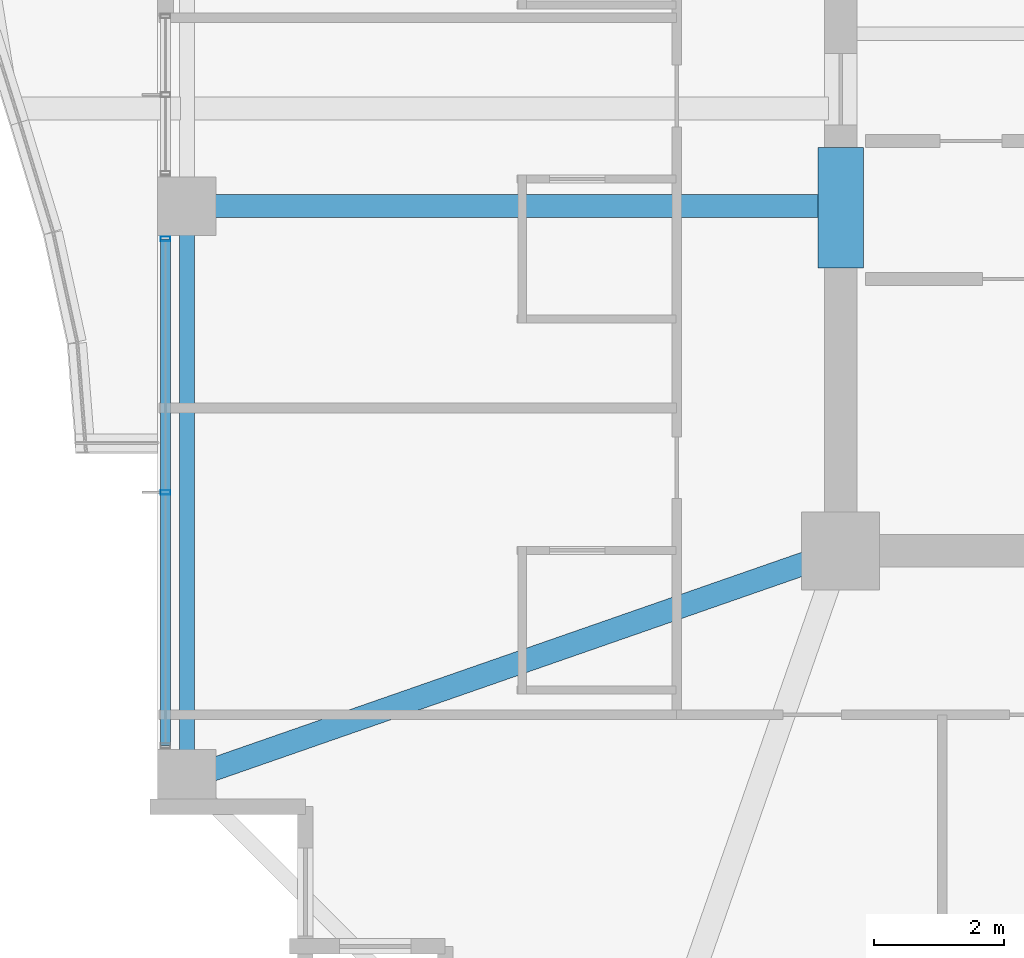
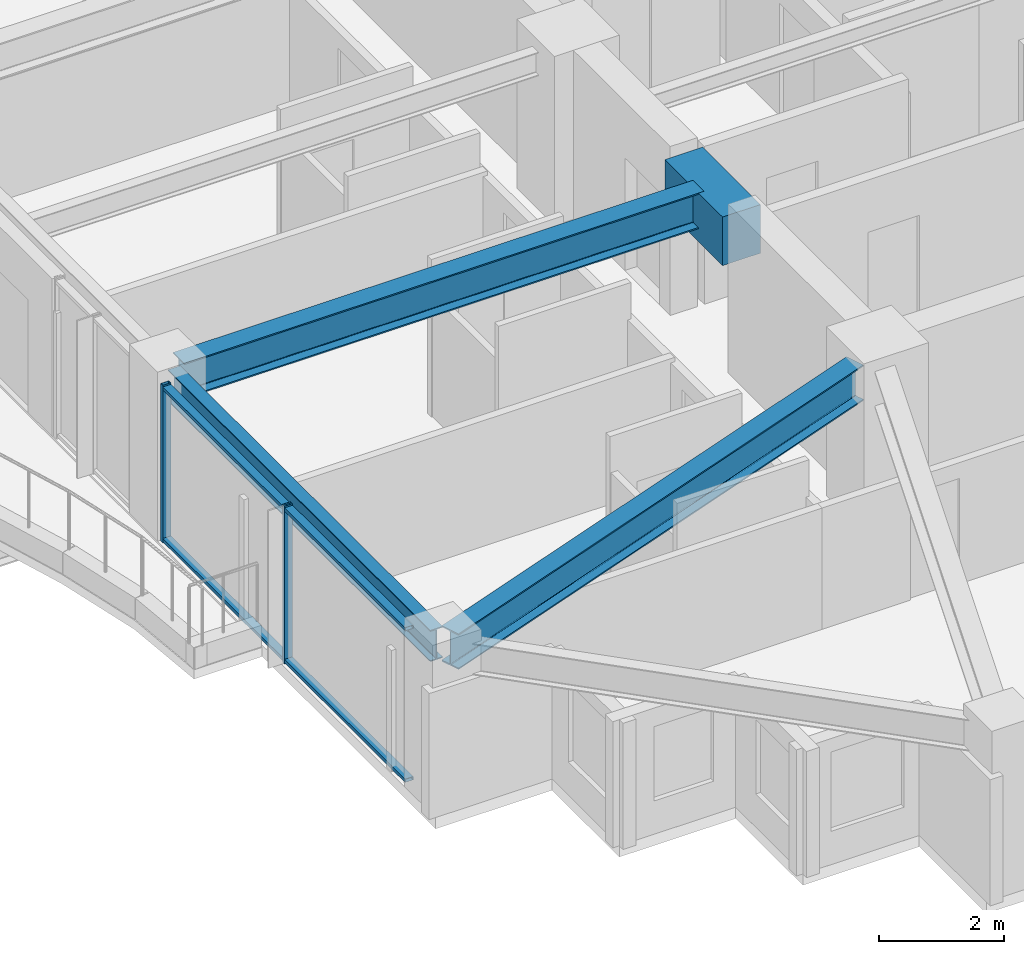
# One storey, part 4 of 34: 4 beams, 4 members, 1 element without a shape of its own.
"""IFC4 building model written with IfcOpenShell, lengths in metres."""

from ifc_helpers import new_model, si_unit, direction, frame, origin, origin_2d, place, context, subcontext, project, spatial, rectangle, hollow_rectangle, i_section, extrude, material, material_profile, profile_set, type_object, element, aggregate, save


model = new_model("IFC4")

# Units and contexts
model_context = context("Model", 3, precision=1e-05, world=origin(), true_north=direction((0.0, 1.0)))
body_context = subcontext(model_context, "Body", "Model", "MODEL_VIEW")
ifc_project = project(units=[si_unit("LENGTHUNIT", "METRE"), si_unit("AREAUNIT", "SQUARE_METRE"), si_unit("VOLUMEUNIT", "CUBIC_METRE"), si_unit("PLANEANGLEUNIT", "RADIAN"), si_unit("MASSUNIT", "GRAM", prefix="KILO")], contexts=[model_context])

# Site, building, storey
site_placement = place(None, origin())
site = spatial("IfcSite", under=ifc_project, at=site_placement, CompositionType="ELEMENT")
building_placement = place(site_placement, origin())
building = spatial("IfcBuilding", under=site, at=building_placement, Name="Kolvaren Belvedere", CompositionType="ELEMENT")
storey_placement = place(building_placement, frame((0.0, 0.0, 189.89990234375)))
storey = spatial("IfcBuildingStorey", under=building, at=storey_placement, Name="L55", CompositionType="ELEMENT", Elevation=189.89990234375)

# Beams
ifc_material_1 = material(Name="Structural steel ASTM A992 Grade 50", Category="steel")
ifc_material_profile_1 = material_profile(ifc_material_1, i_section(OverallWidth=0.35498046875, OverallDepth=0.696044921875, WebThickness=0.015380859375, FlangeThickness=0.02490234375, FilletRadius=0.02197265625, at=origin_2d()), Name="W27X146")
ifc_profile_set_1 = profile_set([ifc_material_profile_1], Name="Structural steel ASTM A992 Grade 50")
beam_type_1 = type_object("IfcBeamType", Name="BM-GIRD-W27X146", PredefinedType="BEAM", material=ifc_profile_set_1)
beam_1_placement = place(storey_placement, frame((-10.14990234375, -4.60009765625, 2.732177734375), z_axis=(-1.0, 0.0, 0.0), x_axis=(0.0, -1.0, 0.0)))
element("IfcBeam", 1, at=beam_1_placement, inside=storey, type_object=beam_type_1, Name="L55 West Radial Girder M", PredefinedType="BEAM", context=body_context, shape_type="SweptSolid", body=[
    extrude(i_section(OverallWidth=0.35498046875, OverallDepth=0.696044921875, WebThickness=0.015380859375, FlangeThickness=0.02490234375, FilletRadius=0.02197265625, at=origin_2d()), origin(), (0.0, 0.0, 1.0), 9.59765625),
])
beam_2_placement = place(storey_placement, frame((-10.41943359375, -10.080810546875, 2.732177734375), z_axis=(-0.944366798861, -0.328894130701, 0.0), x_axis=(0.328894130701, -0.944366798861, 0.0)))
element("IfcBeam", 2, at=beam_2_placement, inside=storey, type_object=beam_type_1, Name="L55 Corner Core-to-Perimeter Girder CC1-W1", PredefinedType="BEAM", context=body_context, shape_type="SweptSolid", body=[
    extrude(i_section(OverallWidth=0.35498046875, OverallDepth=0.696044921875, WebThickness=0.015380859375, FlangeThickness=0.02490234375, FilletRadius=0.02197265625, at=origin_2d()), origin(), (0.0, 0.0, 1.0), 9.912109375),
])
ifc_material_2 = material(Name="Concrete C60/75", Category="concrete")
ifc_material_profile_2 = material_profile(ifc_material_2, rectangle(XDim=0.699951171875, YDim=0.949951171875, at=origin_2d()), Name="RC 700X950")
ifc_profile_set_2 = profile_set([ifc_material_profile_2], Name="Concrete C60/75")
beam_type_2 = type_object("IfcBeamType", Name="BM-LINT-950", PredefinedType="LINTEL", material=ifc_profile_set_2)
beam_3_placement = place(storey_placement, frame((-9.89990234375, -5.550048828125, 2.60498046875), z_axis=(0.0, 1.0, 0.0), x_axis=(-1.0, 0.0, 0.0)))
element("IfcBeam", 3, at=beam_3_placement, inside=storey, type_object=beam_type_2, Name="L55 West Core Coupling Lintel", PredefinedType="LINTEL", context=body_context, shape_type="SweptSolid", body=[
    extrude(rectangle(XDim=0.699951171875, YDim=0.949951171875, at=origin_2d()), origin(), (0.0, 0.0, 1.0), 1.85009765625),
])
ifc_material_3 = material(Name="Structural steel ASTM A992 Grade 50", Category="steel")
ifc_material_profile_3 = material_profile(ifc_material_3, i_section(OverallWidth=0.22900390625, OverallDepth=0.612060546875, WebThickness=0.011962890625, FlangeThickness=0.01953125, FilletRadius=0.01806640625, at=origin_2d()), Name="W24X84")
ifc_profile_set_3 = profile_set([ifc_material_profile_3], Name="Structural steel ASTM A992 Grade 50")
beam_type_3 = type_object("IfcBeamType", Name="BM-SPAN-W24X84", PredefinedType="SPANDREL", material=ifc_profile_set_3)
beam_4_placement = place(storey_placement, frame((-19.949951171875, -4.802490234375, 2.774169921875), z_axis=(0.0, -1.0, 0.0), x_axis=(1.0, 0.0, 0.0)))
element("IfcBeam", 4, at=beam_4_placement, inside=storey, type_object=beam_type_3, Name="L55 Perimeter Spandrel W2-W1", PredefinedType="SPANDREL", context=body_context, shape_type="SweptSolid", body=[
    extrude(i_section(OverallWidth=0.22900390625, OverallDepth=0.612060546875, WebThickness=0.011962890625, FlangeThickness=0.01953125, FilletRadius=0.01806640625, at=origin_2d()), origin(), (0.0, 0.0, 1.0), 8.39501953125),
])

# Curtain wall, members
ifc_material_4 = material(Name="Anodised pale-metal aluminium AA 6063-T6", Category="aluminium")
curtain_wall_type = type_object("IfcCurtainWallType", Name="CW-Z5-HIGH", PredefinedType="NOTDEFINED", material=ifc_material_4)
curtain_wall_placement = place(storey_placement, origin())
curtain_wall = element("IfcCurtainWall", 5, at=curtain_wall_placement, inside=storey, type_object=curtain_wall_type, Name="L55 Unitised Curtain Wall FCW-L55-W1-B1", PredefinedType="NOTDEFINED")
ifc_material_5 = material(Name="Anodised pale-metal aluminium AA 6063-T6", Category="aluminium")
ifc_material_profile_4 = material_profile(ifc_material_5, hollow_rectangle(XDim=0.070068359375, YDim=0.14990234375, WallThickness=0.004150390625, at=origin_2d()), Name="ALU-MUL-150X70")
ifc_profile_set_4 = profile_set([ifc_material_profile_4], Name="Anodised pale-metal aluminium AA 6063-T6")
member_type_1 = type_object("IfcMemberType", Name="CW-MUL-150", PredefinedType="MULLION", material=ifc_profile_set_4)
member_1_placement = place(storey_placement, frame((-20.280029296875, -9.0, 0.0), z_axis=(0.0, 0.0, 1.0), x_axis=(0.0, 1.0, 0.0)))
member_1 = element("IfcMember", 6, at=member_1_placement, type_object=member_type_1, Name="FCW-L55-W1-B1 Unitised Mullion 2", PredefinedType="MULLION", context=body_context, shape_type="SweptSolid", body=[
    extrude(hollow_rectangle(XDim=0.070068359375, YDim=0.14990234375, WallThickness=0.004150390625, at=origin_2d()), origin(), (0.0, 0.0, 1.0), 3.080078125),
])
member_2_placement = place(storey_placement, frame((-20.280029296875, -5.10498046875, 0.0), z_axis=(0.0, 0.0, 1.0), x_axis=(0.0, 1.0, 0.0)))
member_2 = element("IfcMember", 7, at=member_2_placement, type_object=member_type_1, Name="FCW-L55-W1-B1 Unitised Mullion 3", PredefinedType="MULLION", context=body_context, shape_type="SweptSolid", body=[
    extrude(hollow_rectangle(XDim=0.070068359375, YDim=0.14990234375, WallThickness=0.004150390625, at=origin_2d()), origin(), (0.0, 0.0, 1.0), 3.080078125),
])
ifc_material_6 = material(Name="Anodised pale-metal aluminium AA 6063-T6", Category="aluminium")
ifc_material_profile_5 = material_profile(ifc_material_6, hollow_rectangle(XDim=0.06494140625, YDim=0.14990234375, WallThickness=0.00390625, at=origin_2d()), Name="ALU-TRN-150X65")
ifc_profile_set_5 = profile_set([ifc_material_profile_5], Name="Anodised pale-metal aluminium AA 6063-T6")
member_type_2 = type_object("IfcMemberType", Name="CW-TRN-150", PredefinedType="USERDEFINED", material=ifc_profile_set_5)
member_3_placement = place(storey_placement, frame((-20.280029296875, -12.89501953125, 0.06005859375), z_axis=(0.0, 1.0, 0.0), x_axis=(0.0, 0.0, 1.0)))
member_3 = element("IfcMember", 8, at=member_3_placement, type_object=member_type_2, Name="FCW-L55-W1-B1 Sill Transom", ObjectType="TRANSOM", PredefinedType="USERDEFINED", context=body_context, shape_type="SweptSolid", body=[
    extrude(hollow_rectangle(XDim=0.06494140625, YDim=0.14990234375, WallThickness=0.00390625, at=origin_2d()), origin(), (0.0, 0.0, 1.0), 7.7900390625),
])
member_4_placement = place(storey_placement, frame((-20.280029296875, -12.89501953125, 3.02001953125), z_axis=(0.0, 1.0, 0.0), x_axis=(0.0, 0.0, 1.0)))
member_4 = element("IfcMember", 9, at=member_4_placement, type_object=member_type_2, Name="FCW-L55-W1-B1 Head Transom", ObjectType="TRANSOM", PredefinedType="USERDEFINED", context=body_context, shape_type="SweptSolid", body=[
    extrude(hollow_rectangle(XDim=0.06494140625, YDim=0.14990234375, WallThickness=0.00390625, at=origin_2d()), origin(), (0.0, 0.0, 1.0), 7.7900390625),
])
aggregate(curtain_wall, [member_1, member_2, member_3, member_4])

save(model, "model.ifc")
